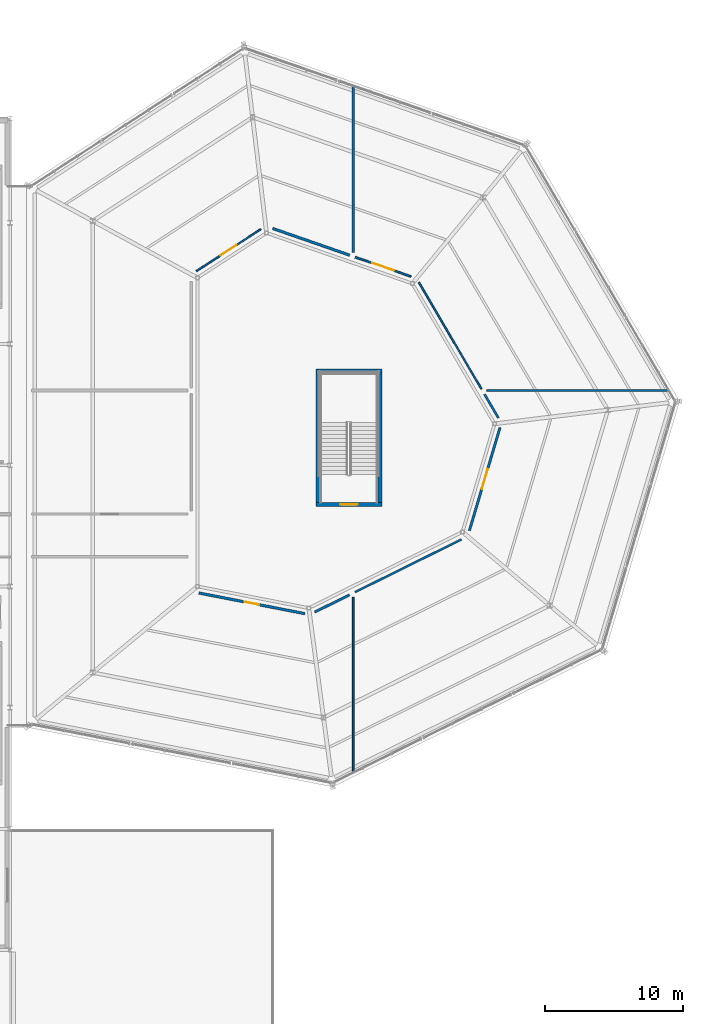
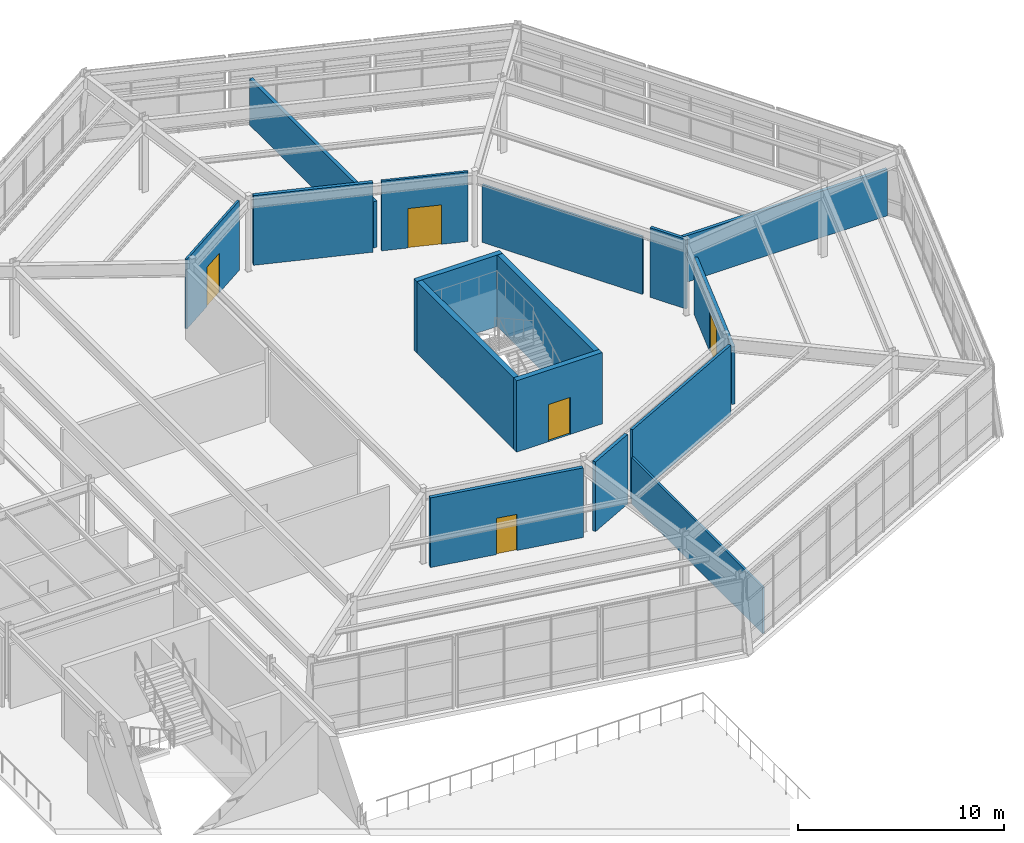
# One storey, part 56 of 69: 16 walls, 5 doors, 5 openings.
"""IFC4 building model written with IfcOpenShell, lengths in metres."""

from ifc_helpers import new_model, si_unit, direction, frame, frame_2d, origin, place, context, subcontext, project, spatial, rectangle, extrude, material, layer, layer_set, type_object, element, fill, save


model = new_model("IFC4")

# Units and contexts
model_context = context("Model", 3, precision=1e-05, world=origin(), true_north=direction((0.0, 1.0)))
body_context = subcontext(model_context, "Body", "Model", "MODEL_VIEW")
ifc_project = project(units=[si_unit("LENGTHUNIT", "METRE"), si_unit("AREAUNIT", "SQUARE_METRE"), si_unit("VOLUMEUNIT", "CUBIC_METRE"), si_unit("PLANEANGLEUNIT", "RADIAN"), si_unit("MASSUNIT", "GRAM", prefix="KILO")], contexts=[model_context])

# Site, building, storey
site_placement = place(None, origin())
site = spatial("IfcSite", under=ifc_project, at=site_placement, CompositionType="ELEMENT")
building_placement = place(site_placement, origin())
building = spatial("IfcBuilding", under=site, at=building_placement, Name="Sarnbrook Museum", CompositionType="ELEMENT")
storey_placement = place(building_placement, frame((0.0, 0.0, 14.60009765625)))
storey = spatial("IfcBuildingStorey", under=building, at=storey_placement, Name="L03", CompositionType="ELEMENT", Elevation=14.60009765625)

# Wall, opening, door
ifc_material_1 = material(Name="Concrete N50 (AS 3600, f'c = 50 MPa)", Category="concrete")
ifc_layer_1 = layer(ifc_material_1, 0.300048828125)
ifc_layer_set_1 = layer_set([ifc_layer_1], Name="Concrete N50 (AS 3600, f'c = 50 MPa)")
wall_type_1 = type_object("IfcWallType", Name="CoreWall_CWRC", PredefinedType="SHEAR", material=ifc_layer_set_1)
wall_1_placement = place(storey_placement, frame((141.39990234375, 80.35009765625, 0.0), z_axis=(0.0, 0.0, 1.0), x_axis=(1.0, 0.0, 0.0)))
wall_1 = element("IfcWall", 1, at=wall_1_placement, inside=storey, type_object=wall_type_1, Name="Core C7 Shear Wall S L03", PredefinedType="SHEAR", context=body_context, shape_type="SweptSolid", body=[
    extrude(rectangle(XDim=4.800048828125, YDim=0.300048828125, at=frame_2d((2.39990234375, 0.0))), origin(), (0.0, 0.0, 1.0), 4.23486328125),
])
opening_1_placement = place(wall_1_placement, frame((1.77490234375, 0.0, 0.0)))
opening_1 = element("IfcOpeningElement", 2, at=opening_1_placement, cuts=wall_1, Name="Opening D-ST-ST7-L03", PredefinedType="OPENING", context=body_context, shape_type="SweptSolid", body=[
    extrude(rectangle(XDim=1.25, YDim=2.199951171875, at=frame_2d((0.625, 1.10009765625))), frame((0.0, 0.16015625, 0.0), z_axis=(0.0, -1.0, 0.0), x_axis=(1.0, 0.0, 0.0)), (0.0, 0.0, 1.0), 0.320068359375),
])
ifc_material_2 = material(Name="Tasmanian Oak Acoustic Timber", Category="wood")
door_type_1 = type_object("IfcDoorType", Name="FireDoor_FD120", OperationType="NOTDEFINED", PredefinedType="DOOR", material=ifc_material_2)
door_1_placement = place(opening_1_placement, origin())
door_1 = element("IfcDoor", 3, at=door_1_placement, inside=storey, type_object=door_type_1, Name="Exit Stair ST7 Fire Door L03", OperationType="SINGLE_SWING_RIGHT", OverallHeight=2.199951171875, OverallWidth=1.25, PredefinedType="DOOR", context=body_context, shape_type="SweptSolid", body=[
    extrude(rectangle(XDim=1.25, YDim=2.199951171875, at=frame_2d((0.625, 1.10009765625))), frame((0.0, 0.02490234375, 0.0), z_axis=(0.0, -1.0, 0.0), x_axis=(1.0, 0.0, 0.0)), (0.0, 0.0, 1.0), 0.050048828125),
])
fill(opening_1, door_1)

# Walls
wall_2_placement = place(storey_placement, frame((146.199951171875, 90.050048828125, 0.0), z_axis=(0.0, 0.0, 1.0), x_axis=(-1.0, 0.0, 0.0)))
element("IfcWall", 4, at=wall_2_placement, inside=storey, type_object=wall_type_1, Name="Core C7 Shear Wall N L03", PredefinedType="SHEAR", context=body_context, shape_type="SweptSolid", body=[
    extrude(rectangle(XDim=4.800048828125, YDim=0.300048828125, at=frame_2d((2.39990234375, 0.0))), origin(), (0.0, 0.0, 1.0), 4.23486328125),
])
for number, where, z_axis, x_axis, name in (
    (5, (146.050048828125, 80.510009765625, 0.0), (0.0, 0.0, 1.0), (0.0, 1.0, 0.0), "Core C7 Shear Wall E L03"),
    (6, (141.550048828125, 89.889892578125, 0.0), (0.0, 0.0, 1.0), (0.0, -1.0, 0.0), "Core C7 Shear Wall W L03"),
):
    element("IfcWall", number, at=place(storey_placement, frame(where, z_axis=z_axis, x_axis=x_axis)), inside=storey, type_object=wall_type_1, Name=name, PredefinedType="SHEAR", context=body_context, shape_type="SweptSolid", body=[
        extrude(rectangle(XDim=9.3798828125, YDim=0.300048828125, at=frame_2d((4.68994140625, 0.0))), origin(), (0.0, 0.0, 1.0), 4.23486328125),
    ])

# Wall, opening, door
ifc_material_3 = material(Name="Fire-Rated Acoustic Gypsum Plasterboard")
ifc_layer_2 = layer(ifc_material_3, 0.1201171875)
ifc_layer_set_2 = layer_set([ifc_layer_2], Name="Fire-Rated Acoustic Gypsum Plasterboard")
wall_type_2 = type_object("IfcWallType", Name="PartWall_P120", PredefinedType="PARTITIONING", material=ifc_layer_set_2)
wall_3_placement = place(storey_placement, frame((137.409423828125, 100.339111328125, 0.0), z_axis=(0.0, 0.0, 1.0), x_axis=(-0.838914477988, -0.544263262238, 0.0)))
wall_3 = element("IfcWall", 7, at=wall_3_placement, inside=storey, type_object=wall_type_2, Name="Interior Partition Wall L03-0608", PredefinedType="PARTITIONING", context=body_context, shape_type="SweptSolid", body=[
    extrude(rectangle(XDim=5.599609375, YDim=0.1201171875, at=frame_2d((2.7998046875, 0.0))), origin(), (0.0, 0.0, 1.0), 4.1298828125),
])
opening_2_placement = place(wall_3_placement, frame((2.10986328125, 0.0, 0.0)))
opening_2 = element("IfcOpeningElement", 8, at=opening_2_placement, cuts=wall_3, Name="Opening D-L03-176", PredefinedType="OPENING", context=body_context, shape_type="SweptSolid", body=[
    extrude(rectangle(XDim=1.3798828125, YDim=2.340087890625, at=frame_2d((0.68994140625, 1.169921875))), frame((0.0, 0.070068359375, 0.0), z_axis=(0.0, -1.0, 0.0), x_axis=(1.0, 0.0, 0.0)), (0.0, 0.0, 1.0), 0.14013671875),
])
door_type_2 = type_object("IfcDoorType", Name="IntDoor_DT24", OperationType="NOTDEFINED", PredefinedType="DOOR", material=ifc_material_2)
door_2_placement = place(opening_2_placement, frame((1.3798828125, 0.0, 0.0), z_axis=(0.0, 0.0, 1.0), x_axis=(-1.0, 0.0, 0.0)))
door_2 = element("IfcDoor", 9, at=door_2_placement, inside=storey, type_object=door_type_2, Name="First Peoples Cultural Heritage Gallery L03-3 Door D-L03-176", OperationType="SINGLE_SWING_RIGHT", OverallHeight=2.340087890625, OverallWidth=1.3798828125, PredefinedType="DOOR", context=body_context, shape_type="SweptSolid", body=[
    extrude(rectangle(XDim=1.3798828125, YDim=2.340087890625, at=frame_2d((0.68994140625, 1.169921875))), frame((0.0, 0.02490234375, 0.0), z_axis=(0.0, -1.0, 0.0), x_axis=(1.0, 0.0, 0.0)), (0.0, 0.0, 1.0), 0.050048828125),
])
fill(opening_2, door_2)

# Walls
wall_4_placement = place(storey_placement, frame((153.416015625, 88.745849609375, 0.0), z_axis=(0.0, 0.0, 1.0), x_axis=(-0.506052681875, 0.862502569948, 0.0)))
element("IfcWall", 10, at=wall_4_placement, inside=storey, type_object=wall_type_2, Name="Interior Partition Wall L03-0615", PredefinedType="PARTITIONING", context=body_context, shape_type="SweptSolid", body=[
    extrude(rectangle(XDim=8.968994140625, YDim=0.1201171875, at=frame_2d((4.484375, 0.0))), origin(), (0.0, 0.0, 1.0), 3.409912109375),
])
wall_5_placement = place(storey_placement, frame((144.111328125, 73.6259765625, 0.0), z_axis=(0.0, 0.0, 1.0), x_axis=(0.0, -1.0, 0.0)))
element("IfcWall", 11, at=wall_5_placement, inside=storey, type_object=wall_type_2, Name="Interior Partition Wall L03-0706", PredefinedType="PARTITIONING", context=body_context, shape_type="SweptSolid", body=[
    extrude(rectangle(XDim=12.72119140625, YDim=0.1201171875, at=frame_2d((6.360595703125, 0.0))), origin(), (0.0, 0.0, 1.0), 2.75),
])

# Wall, opening, door
ifc_layer_3 = layer(ifc_material_3, 0.135009765625)
ifc_layer_set_3 = layer_set([ifc_layer_3], Name="Fire-Rated Acoustic Gypsum Plasterboard")
wall_type_3 = type_object("IfcWallType", Name="PartWall_P135", PredefinedType="PARTITIONING", material=ifc_layer_set_3)
wall_6_placement = place(storey_placement, frame((148.309326171875, 96.90576171875, 0.0), z_axis=(0.0, 0.0, 1.0), x_axis=(-0.944669498392, 0.32802368635, 0.0)))
wall_6 = element("IfcWall", 12, at=wall_6_placement, inside=storey, type_object=wall_type_3, Name="Interior Partition Wall L03-0614", PredefinedType="PARTITIONING", context=body_context, shape_type="SweptSolid", body=[
    extrude(rectangle(XDim=4.287841796875, YDim=0.135009765625, at=frame_2d((2.14404296875, 0.0))), origin(), (0.0, 0.0, 1.0), 4.1298828125),
])
opening_3_placement = place(wall_6_placement, frame((1.31396484375, 0.0, 0.0)))
opening_3 = element("IfcOpeningElement", 13, at=opening_3_placement, cuts=wall_6, Name="Opening D-L03-178", PredefinedType="OPENING", context=body_context, shape_type="SweptSolid", body=[
    extrude(rectangle(XDim=1.659912109375, YDim=2.340087890625, at=frame_2d((0.830078125, 1.169921875))), frame((0.0, 0.07763671875, 0.0), z_axis=(0.0, -1.0, 0.0), x_axis=(1.0, 0.0, 0.0)), (0.0, 0.0, 1.0), 0.155029296875),
])
door_type_3 = type_object("IfcDoorType", Name="IntDoor_DT26", OperationType="NOTDEFINED", PredefinedType="DOOR", material=ifc_material_2)
door_3_placement = place(opening_3_placement, origin())
door_3 = element("IfcDoor", 14, at=door_3_placement, inside=storey, type_object=door_type_3, Name="Natural History Library & Reading Room L03-5 Door D-L03-178", OperationType="DOUBLE_DOOR_SINGLE_SWING", OverallHeight=2.340087890625, OverallWidth=1.659912109375, PredefinedType="DOOR", context=body_context, shape_type="SweptSolid", body=[
    extrude(rectangle(XDim=1.659912109375, YDim=2.340087890625, at=frame_2d((0.830078125, 1.169921875))), frame((0.0, 0.02490234375, 0.0), z_axis=(0.0, -1.0, 0.0), x_axis=(1.0, 0.0, 0.0)), (0.0, 0.0, 1.0), 0.050048828125),
])
fill(opening_3, door_3)

# Walls
ifc_layer_4 = layer(ifc_material_3, 0.14990234375)
ifc_layer_set_4 = layer_set([ifc_layer_4], Name="Fire-Rated Acoustic Gypsum Plasterboard")
wall_type_4 = type_object("IfcWallType", Name="PartWall_P150", PredefinedType="PARTITIONING", material=ifc_layer_set_4)
wall_7_placement = place(storey_placement, frame((144.240234375, 73.98681640625, 0.0), z_axis=(0.0, 0.0, 1.0), x_axis=(0.896170047081, 0.443710769212, 0.0)))
element("IfcWall", 15, at=wall_7_placement, inside=storey, type_object=wall_type_4, Name="Interior Partition Wall L03-0613", PredefinedType="PARTITIONING", context=body_context, shape_type="SweptSolid", body=[
    extrude(rectangle(XDim=8.623046875, YDim=0.14990234375, at=frame_2d((4.3115234375, 0.0))), origin(), (0.0, 0.0, 1.0), 4.1298828125),
])
ifc_layer_5 = layer(ifc_material_3, 0.1650390625)
ifc_layer_set_5 = layer_set([ifc_layer_5], Name="Fire-Rated Acoustic Gypsum Plasterboard")
wall_type_5 = type_object("IfcWallType", Name="PartWall_P165", PredefinedType="PARTITIONING", material=ifc_layer_set_5)
wall_8_placement = place(storey_placement, frame((154.657958984375, 86.62890625, 0.0), z_axis=(0.0, 0.0, 1.0), x_axis=(-0.506003744629, 0.862531280837, 0.0)))
element("IfcWall", 16, at=wall_8_placement, inside=storey, type_object=wall_type_5, Name="Interior Partition Wall L03-0612", PredefinedType="PARTITIONING", context=body_context, shape_type="SweptSolid", body=[
    extrude(rectangle(XDim=2.005615234375, YDim=0.1650390625, at=frame_2d((1.0029296875, 0.0))), origin(), (0.0, 0.0, 1.0), 4.1298828125),
])
ifc_layer_6 = layer(ifc_material_3, 0.179931640625)
ifc_layer_set_6 = layer_set([ifc_layer_6], Name="Fire-Rated Acoustic Gypsum Plasterboard")
wall_type_6 = type_object("IfcWallType", Name="PartWall_P180", PredefinedType="PARTITIONING", material=ifc_layer_set_6)
wall_9_placement = place(storey_placement, frame((141.314697265625, 72.538330078125, 0.0), z_axis=(0.0, 0.0, 1.0), x_axis=(0.896166879806, 0.443717166152, 0.0)))
element("IfcWall", 17, at=wall_9_placement, inside=storey, type_object=wall_type_6, Name="Interior Partition Wall L03-0604", PredefinedType="PARTITIONING", context=body_context, shape_type="SweptSolid", body=[
    extrude(rectangle(XDim=2.82373046875, YDim=0.179931640625, at=frame_2d((1.411865234375, 0.0))), origin(), (0.0, 0.0, 1.0), 4.1298828125),
])

# Wall, opening, door
wall_10_placement = place(storey_placement, frame((152.54931640625, 78.45556640625, 0.0), z_axis=(0.0, 0.0, 1.0), x_axis=(0.284584370511, 0.958650998049, 0.0)))
wall_10 = element("IfcWall", 18, at=wall_10_placement, inside=storey, type_object=wall_type_6, Name="Interior Partition Wall L03-0611", PredefinedType="PARTITIONING", context=body_context, shape_type="SweptSolid", body=[
    extrude(rectangle(XDim=7.808349609375, YDim=0.179931640625, at=frame_2d((3.904296875, 0.0))), origin(), (0.0, 0.0, 1.0), 3.409912109375),
])
opening_4_placement = place(wall_10_placement, frame((3.144287109375, 0.0, 0.0)))
opening_4 = element("IfcOpeningElement", 19, at=opening_4_placement, cuts=wall_10, Name="Opening D-L03-177", PredefinedType="OPENING", context=body_context, shape_type="SweptSolid", body=[
    extrude(rectangle(XDim=1.52001953125, YDim=2.340087890625, at=frame_2d((0.760009765625, 1.169921875))), frame((0.0, 0.10009765625, 0.0), z_axis=(0.0, -1.0, 0.0), x_axis=(1.0, 0.0, 0.0)), (0.0, 0.0, 1.0), 0.199951171875),
])
door_type_4 = type_object("IfcDoorType", Name="IntDoor_DT25", OperationType="NOTDEFINED", PredefinedType="DOOR", material=ifc_material_2)
door_4_placement = place(opening_4_placement, origin())
door_4 = element("IfcDoor", 20, at=door_4_placement, inside=storey, type_object=door_type_4, Name="Molecular DNA Conservation Lab L03-4 Door D-L03-177", OperationType="SINGLE_SWING_LEFT", OverallHeight=2.340087890625, OverallWidth=1.52001953125, PredefinedType="DOOR", context=body_context, shape_type="SweptSolid", body=[
    extrude(rectangle(XDim=1.52001953125, YDim=2.340087890625, at=frame_2d((0.760009765625, 1.169921875))), frame((0.0, 0.02490234375, 0.0), z_axis=(0.0, -1.0, 0.0), x_axis=(1.0, 0.0, 0.0)), (0.0, 0.0, 1.0), 0.050048828125),
])
fill(opening_4, door_4)

# Wall
wall_11_placement = place(storey_placement, frame((153.797119140625, 88.628173828125, 0.0), z_axis=(0.0, 0.0, 1.0), x_axis=(1.0, 0.0, 0.0)))
element("IfcWall", 21, at=wall_11_placement, inside=storey, type_object=wall_type_6, Name="Interior Partition Wall L03-0709", PredefinedType="PARTITIONING", context=body_context, shape_type="SweptSolid", body=[
    extrude(rectangle(XDim=13.226806640625, YDim=0.179931640625, at=frame_2d((6.61328125, 0.0))), origin(), (0.0, 0.0, 1.0), 2.75),
])

# Wall, opening, door
ifc_layer_7 = layer(ifc_material_3, 0.195068359375)
ifc_layer_set_7 = layer_set([ifc_layer_7], Name="Fire-Rated Acoustic Gypsum Plasterboard")
wall_type_7 = type_object("IfcWallType", Name="PartWall_P195", PredefinedType="PARTITIONING", material=ifc_layer_set_7)
wall_12_placement = place(storey_placement, frame((132.902099609375, 73.9267578125, 0.0), z_axis=(0.0, 0.0, 1.0), x_axis=(0.98152920164, -0.191312378918, 0.0)))
wall_12 = element("IfcWall", 22, at=wall_12_placement, inside=storey, type_object=wall_type_7, Name="Interior Partition Wall L03-0603", PredefinedType="PARTITIONING", context=body_context, shape_type="SweptSolid", body=[
    extrude(rectangle(XDim=7.85205078125, YDim=0.195068359375, at=frame_2d((3.926025390625, 0.0))), origin(), (0.0, 0.0, 1.0), 4.1298828125),
])
opening_5_placement = place(wall_12_placement, frame((3.401123046875, 0.0, 0.0)))
opening_5 = element("IfcOpeningElement", 23, at=opening_5_placement, cuts=wall_12, Name="Opening D-L03-174", PredefinedType="OPENING", context=body_context, shape_type="SweptSolid", body=[
    extrude(rectangle(XDim=1.050048828125, YDim=2.14990234375, at=frame_2d((0.52490234375, 1.074951171875))), frame((0.0, 0.107421875, 0.0), z_axis=(0.0, -1.0, 0.0), x_axis=(1.0, 0.0, 0.0)), (0.0, 0.0, 1.0), 0.215087890625),
])
door_type_5 = type_object("IfcDoorType", Name="FireDoor_FD60", OperationType="NOTDEFINED", PredefinedType="DOOR", material=ifc_material_2)
door_5_placement = place(opening_5_placement, frame((1.050048828125, 0.0, 0.0), z_axis=(0.0, 0.0, 1.0), x_axis=(-1.0, 0.0, 0.0)))
door_5 = element("IfcDoor", 24, at=door_5_placement, inside=storey, type_object=door_type_5, Name="Botanical Illustrations & Rare Folios L03-1 Door D-L03-174", OperationType="SINGLE_SWING_RIGHT", OverallHeight=2.14990234375, OverallWidth=1.050048828125, PredefinedType="DOOR", context=body_context, shape_type="SweptSolid", body=[
    extrude(rectangle(XDim=1.050048828125, YDim=2.14990234375, at=frame_2d((0.52490234375, 1.074951171875))), frame((0.0, 0.02490234375, 0.0), z_axis=(0.0, -1.0, 0.0), x_axis=(1.0, 0.0, 0.0)), (0.0, 0.0, 1.0), 0.050048828125),
])
fill(opening_5, door_5)

# Walls
wall_13_placement = place(storey_placement, frame((143.85205078125, 98.453369140625, 0.0), z_axis=(0.0, 0.0, 1.0), x_axis=(-0.944668157892, 0.328027546809, 0.0)))
element("IfcWall", 25, at=wall_13_placement, inside=storey, type_object=wall_type_7, Name="Interior Partition Wall L03-0610", PredefinedType="PARTITIONING", context=body_context, shape_type="SweptSolid", body=[
    extrude(rectangle(XDim=5.91552734375, YDim=0.195068359375, at=frame_2d((2.957763671875, 0.0))), origin(), (0.0, 0.0, 1.0), 4.1298828125),
])
wall_14_placement = place(storey_placement, frame((144.111328125, 110.693359375, 0.0), z_axis=(0.0, 0.0, 1.0), x_axis=(0.0, -1.0, 0.0)))
element("IfcWall", 26, at=wall_14_placement, inside=storey, type_object=wall_type_7, Name="Interior Partition Wall L03-0708", PredefinedType="PARTITIONING", context=body_context, shape_type="SweptSolid", body=[
    extrude(rectangle(XDim=12.055419921875, YDim=0.195068359375, at=frame_2d((6.02783203125, 0.0))), origin(), (0.0, 0.0, 1.0), 2.75),
])

save(model, "model.ifc")
